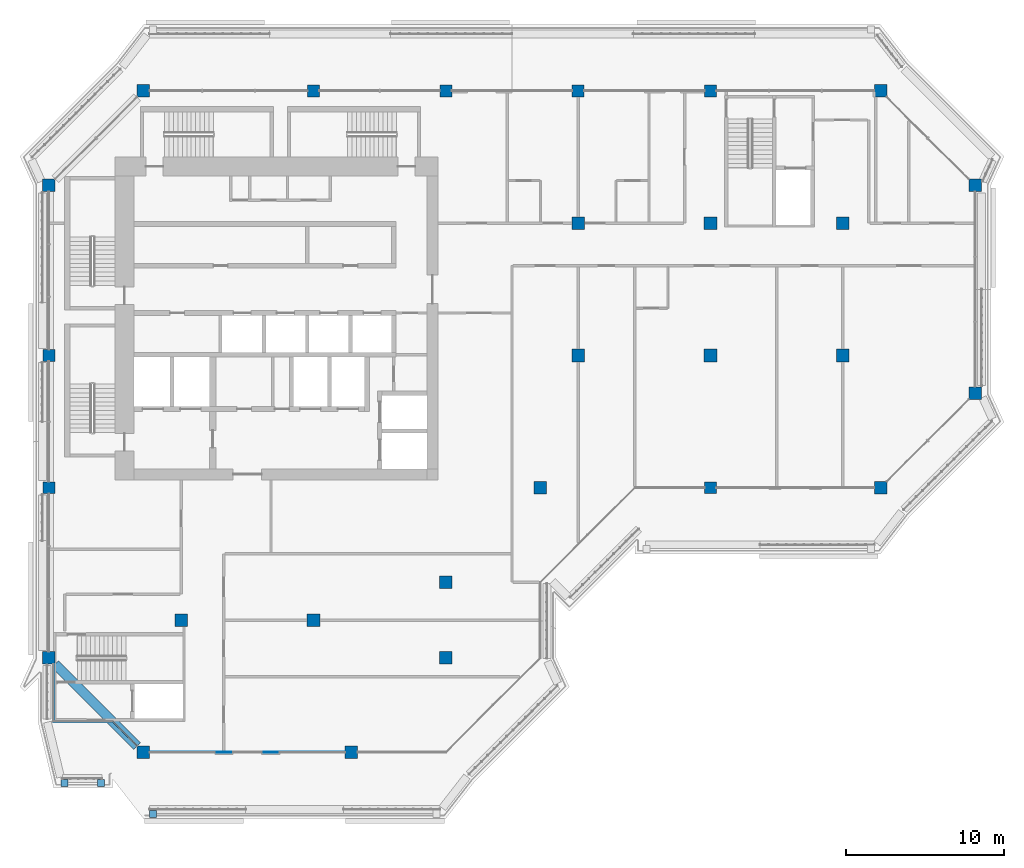
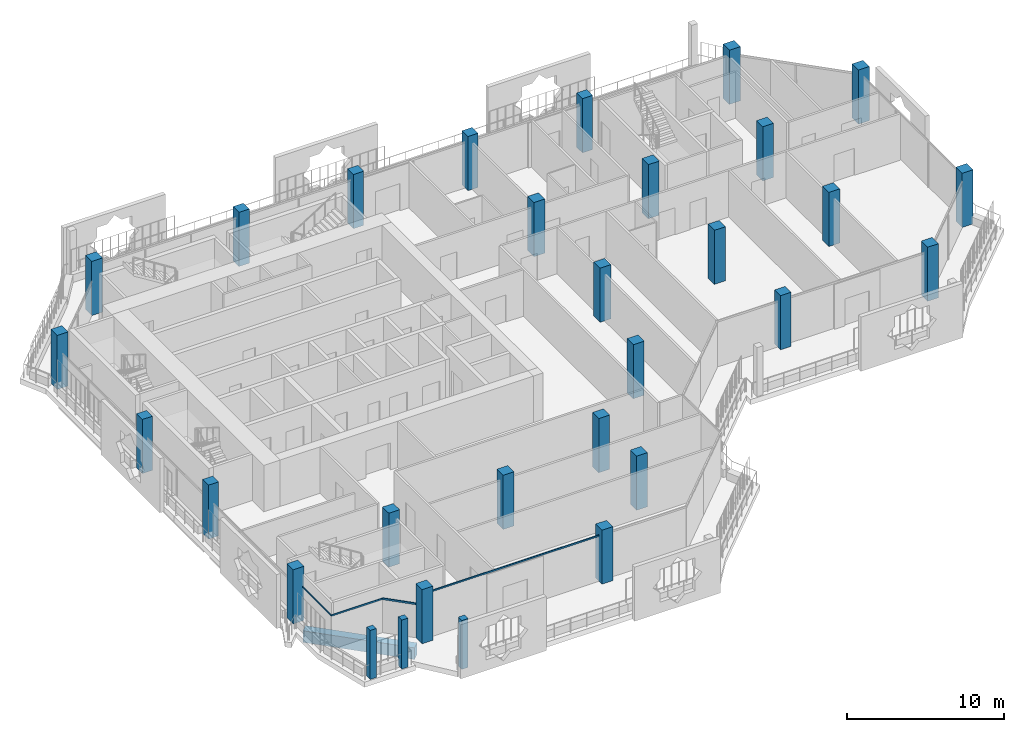
# One storey, part 1 of 21: 27 columns, 7 members, 1 beam, 5 elements without a shape of their own.
"""IFC4 building model written with IfcOpenShell, lengths in metres."""

from ifc_helpers import new_model, si_unit, direction, frame, origin, origin_2d, place, context, subcontext, project, spatial, rectangle, extrude, material, layer, layer_set, material_profile, profile_set, type_object, element, aggregate, save


model = new_model("IFC4")

# Units and contexts
model_context = context("Model", 3, precision=1e-05, world=origin(), true_north=direction((0.0, 1.0)))
body_context = subcontext(model_context, "Body", "Model", "MODEL_VIEW")
ifc_project = project(units=[si_unit("LENGTHUNIT", "METRE"), si_unit("AREAUNIT", "SQUARE_METRE"), si_unit("VOLUMEUNIT", "CUBIC_METRE"), si_unit("PLANEANGLEUNIT", "RADIAN"), si_unit("MASSUNIT", "GRAM", prefix="KILO")], contexts=[model_context])

# Site, building, storey
site_placement = place(None, origin())
site = spatial("IfcSite", under=ifc_project, at=site_placement, CompositionType="ELEMENT")
building_placement = place(site_placement, origin())
building = spatial("IfcBuilding", under=site, at=building_placement, Name="Kawkab Arch Medical Tower", CompositionType="ELEMENT")
storey_placement = place(building_placement, frame((0.0, 0.0, 307.0)))
storey = spatial("IfcBuildingStorey", under=building, at=storey_placement, Name="L71", CompositionType="ELEMENT", Elevation=307.0)

# Columns
ifc_material_1 = material(Name="Concrete C40/50", Category="concrete")
ifc_material_profile_1 = material_profile(ifc_material_1, rectangle(XDim=0.75, YDim=0.75, at=origin_2d()), Name="RC 750x750")
ifc_profile_set_1 = profile_set([ifc_material_profile_1], Name="Concrete C40/50")
column_type_1 = type_object("IfcColumnType", Name="RC 750x750 column C40/50", PredefinedType="COLUMN", material=ifc_profile_set_1)
for number, where, z_axis, x_axis, name in (
    (1, (16.800048828125, 0.0, 0.0), (0.0, 0.0, 1.0), (1.0, 0.0, 0.0), "Column RC 750x750"),
    (2, (25.199951171875, 0.0, 0.0), (0.0, 0.0, 1.0), (1.0, 0.0, 0.0), "Column RC 750x750"),
    (3, (33.60009765625, 0.0, 0.0), (0.0, 0.0, 1.0), (1.0, 0.0, 0.0), "Column RC 750x750"),
    (4, (42.0, 0.0, 0.0), (0.0, 0.0, 1.0), (1.0, 0.0, 0.0), "Column RC 750x750"),
    (5, (0.0, -16.800048828125, 0.0), (0.0, 0.0, 1.0), (1.0, 0.0, 0.0), "Column RC 750x750"),
    (6, (0.0, -25.199951171875, 0.0), (0.0, 0.0, 1.0), (1.0, 0.0, 0.0), "Column RC 750x750"),
    (7, (42.0, -25.199951171875, 0.0), (0.0, 0.0, 1.0), (1.0, 0.0, 0.0), "Column RC 750x750"),
):
    element("IfcColumn", number, at=place(storey_placement, frame(where, z_axis=z_axis, x_axis=x_axis)), inside=storey, type_object=column_type_1, Name=name, PredefinedType="COLUMN", context=body_context, shape_type="SweptSolid", body=[
        extrude(rectangle(XDim=0.75, YDim=0.75, at=origin_2d()), origin(), (0.0, 0.0, 1.0), 4.199951171875),
    ])
ifc_material_2 = material(Name="Concrete C40/50", Category="concrete")
ifc_material_profile_2 = material_profile(ifc_material_2, rectangle(XDim=0.800048828125, YDim=0.800048828125, at=origin_2d()), Name="RC 800x800")
ifc_profile_set_2 = profile_set([ifc_material_profile_2], Name="Concrete C40/50")
column_type_2 = type_object("IfcColumnType", Name="RC 800x800 column C40/50", PredefinedType="COLUMN", material=ifc_profile_set_2)
for number, where, z_axis, x_axis, name in (
    (8, (6.0, 0.0, 0.0), (0.0, 0.0, 1.0), (1.0, 0.0, 0.0), "Column RC 800x800"),
    (9, (52.800048828125, 0.0, 0.0), (0.0, 0.0, 1.0), (1.0, 0.0, 0.0), "Column RC 800x800"),
    (10, (0.0, -6.0, 0.0), (0.0, 0.0, 1.0), (1.0, 0.0, 0.0), "Column RC 800x800"),
    (11, (58.800048828125, -6.0, 0.0), (0.0, 0.0, 1.0), (1.0, 0.0, 0.0), "Column RC 800x800"),
    (12, (33.60009765625, -8.39990234375, 0.0), (0.0, 0.0, 1.0), (1.0, 0.0, 0.0), "Column RC 800x800"),
    (13, (42.0, -8.39990234375, 0.0), (0.0, 0.0, 1.0), (1.0, 0.0, 0.0), "Column RC 800x800"),
    (14, (50.39990234375, -8.39990234375, 0.0), (0.0, 0.0, 1.0), (1.0, 0.0, 0.0), "Column RC 800x800"),
    (15, (33.60009765625, -16.800048828125, 0.0), (0.0, 0.0, 1.0), (1.0, 0.0, 0.0), "Column RC 800x800"),
    (16, (42.0, -16.800048828125, 0.0), (0.0, 0.0, 1.0), (1.0, 0.0, 0.0), "Column RC 800x800"),
    (17, (50.39990234375, -16.800048828125, 0.0), (0.0, 0.0, 1.0), (1.0, 0.0, 0.0), "Column RC 800x800"),
    (18, (58.800048828125, -19.199951171875, 0.0), (0.0, 0.0, 1.0), (1.0, 0.0, 0.0), "Column RC 800x800"),
    (19, (31.199951171875, -25.199951171875, 0.0), (0.0, 0.0, 1.0), (1.0, 0.0, 0.0), "Column RC 800x800"),
    (20, (52.800048828125, -25.199951171875, 0.0), (0.0, 0.0, 1.0), (1.0, 0.0, 0.0), "Column RC 800x800"),
    (21, (25.199951171875, -31.199951171875, 0.0), (0.0, 0.0, 1.0), (1.0, 0.0, 0.0), "Column RC 800x800"),
    (22, (8.39990234375, -33.60009765625, 0.0), (0.0, 0.0, 1.0), (1.0, 0.0, 0.0), "Column RC 800x800"),
    (23, (16.800048828125, -33.60009765625, 0.0), (0.0, 0.0, 1.0), (1.0, 0.0, 0.0), "Column RC 800x800"),
    (24, (0.0, -36.0, 0.0), (0.0, 0.0, 1.0), (1.0, 0.0, 0.0), "Column RC 800x800"),
    (25, (25.199951171875, -36.0, 0.0), (0.0, 0.0, 1.0), (1.0, 0.0, 0.0), "Column RC 800x800"),
    (26, (6.0, -42.0, 0.0), (0.0, 0.0, 1.0), (1.0, 0.0, 0.0), "Column RC 800x800"),
    (27, (19.199951171875, -42.0, 0.0), (0.0, 0.0, 1.0), (1.0, 0.0, 0.0), "Column RC 800x800"),
):
    element("IfcColumn", number, at=place(storey_placement, frame(where, z_axis=z_axis, x_axis=x_axis)), inside=storey, type_object=column_type_2, Name=name, PredefinedType="COLUMN", context=body_context, shape_type="SweptSolid", body=[
        extrude(rectangle(XDim=0.800048828125, YDim=0.800048828125, at=origin_2d()), origin(), (0.0, 0.0, 1.0), 4.199951171875),
    ])

# Curtain wall, member
ifc_material_3 = material(Name="Bronze anodised aluminium curtain wall frame", Category="aluminium")
ifc_layer_1 = layer(ifc_material_3, 0.159912109375)
ifc_layer_set_1 = layer_set([ifc_layer_1], Name="Bronze anodised aluminium curtain wall frame")
curtain_wall_type_1 = type_object("IfcCurtainWallType", Name="CW1 ward curtain wall", PredefinedType="NOTDEFINED", material=ifc_layer_set_1)
placement = place(storey_placement, origin())
curtain_wall_1 = element("IfcCurtainWall", 28, at=placement, inside=storey, type_object=curtain_wall_type_1, Name="CW1 Ward curtain wall R04", PredefinedType="NOTDEFINED")
ifc_material_4 = material(Name="Bronze anodised aluminium curtain wall frame", Category="aluminium")
ifc_material_profile_3 = material_profile(ifc_material_4, rectangle(XDim=0.06005859375, YDim=0.1201171875, at=origin_2d()), Name="AL 60x120")
ifc_profile_set_3 = profile_set([ifc_material_profile_3], Name="Bronze anodised aluminium curtain wall frame")
member_type_1 = type_object("IfcMemberType", Name="CW1 transom 120 x 60", PredefinedType="USERDEFINED", material=ifc_profile_set_3)
member_1_placement = place(storey_placement, frame((0.300048828125, -36.39990234375, 2.639892578125), z_axis=(0.0, -1.0, 0.0), x_axis=(1.0, 0.0, 0.0)))
member_1 = element("IfcMember", 29, at=member_1_placement, type_object=member_type_1, Name="CW1 transom 1", ObjectType="TRANSOM", PredefinedType="USERDEFINED", context=body_context, shape_type="SweptSolid", body=[
    extrude(rectangle(XDim=0.06005859375, YDim=0.1201171875, at=origin_2d()), origin(), (0.0, 0.0, 1.0), 3.650146484375),
])
aggregate(curtain_wall_1, [member_1])

curtain_wall_2 = element("IfcCurtainWall", 30, at=placement, inside=storey, type_object=curtain_wall_type_1, Name="CW1 Ward curtain wall R05", PredefinedType="NOTDEFINED")
member_2_placement = place(storey_placement, frame((0.300048828125, -40.050048828125, 2.639892578125), z_axis=(1.0, 0.0, 0.0), x_axis=(0.0, 1.0, 0.0)))
member_2 = element("IfcMember", 31, at=member_2_placement, type_object=member_type_1, Name="CW1 transom 1", ObjectType="TRANSOM", PredefinedType="USERDEFINED", context=body_context, shape_type="SweptSolid", body=[
    extrude(rectangle(XDim=0.06005859375, YDim=0.1201171875, at=origin_2d()), origin(), (0.0, 0.0, 1.0), 3.75),
])
aggregate(curtain_wall_2, [member_2])

curtain_wall_3 = element("IfcCurtainWall", 32, at=placement, inside=storey, type_object=curtain_wall_type_1, Name="CW1 Ward curtain wall R07", PredefinedType="NOTDEFINED")
member_3_placement = place(storey_placement, frame((6.39990234375, -42.0, 3.5400390625), z_axis=(1.0, 0.0, 0.0), x_axis=(0.0, 1.0, 0.0)))
member_3 = element("IfcMember", 33, at=member_3_placement, type_object=member_type_1, Name="CW1 transom 1", ObjectType="TRANSOM", PredefinedType="USERDEFINED", context=body_context, shape_type="SweptSolid", body=[
    extrude(rectangle(XDim=0.06005859375, YDim=0.1201171875, at=origin_2d()), origin(), (0.0, 0.0, 1.0), 12.400146484375),
])
aggregate(curtain_wall_3, [member_3])

ifc_material_5 = material(Name="Bronze anodised aluminium curtain wall frame", Category="aluminium")
ifc_layer_2 = layer(ifc_material_5, 0.159912109375)
ifc_layer_set_2 = layer_set([ifc_layer_2], Name="Bronze anodised aluminium curtain wall frame")
curtain_wall_type_2 = type_object("IfcCurtainWallType", Name="CW2 chamfer curtain wall", PredefinedType="NOTDEFINED", material=ifc_layer_set_2)
curtain_wall_4 = element("IfcCurtainWall", 34, at=placement, inside=storey, type_object=curtain_wall_type_2, Name="CW2 Chamfer curtain wall R06", PredefinedType="NOTDEFINED")
ifc_material_6 = material(Name="Bronze anodised aluminium curtain wall frame", Category="aluminium")
ifc_material_profile_4 = material_profile(ifc_material_6, rectangle(XDim=0.06005859375, YDim=0.139892578125, at=origin_2d()), Name="AL 60x140")
ifc_profile_set_4 = profile_set([ifc_material_profile_4], Name="Bronze anodised aluminium curtain wall frame")
member_type_2 = type_object("IfcMemberType", Name="CW2 transom 140 x 60", PredefinedType="USERDEFINED", material=ifc_profile_set_4)
member_4_placement = place(storey_placement, frame((4.050048828125, -40.050048828125, 2.6298828125), z_axis=(0.707106781187, -0.707106781187, 0.0), x_axis=(0.707106781187, 0.707106781187, 0.0)))
member_4 = element("IfcMember", 35, at=member_4_placement, type_object=member_type_2, Name="CW2 transom 1", ObjectType="TRANSOM", PredefinedType="USERDEFINED", context=body_context, shape_type="SweptSolid", body=[
    extrude(rectangle(XDim=0.06005859375, YDim=0.139892578125, at=origin_2d()), origin(), (0.0, 0.0, 1.0), 2.192138671875),
])
aggregate(curtain_wall_4, [member_4])

# Curtain wall, members
ifc_material_7 = material(Name="Bronze anodised aluminium climber frame, planted", Category="aluminium")
ifc_layer_3 = layer(ifc_material_7, 0.449951171875)
ifc_layer_set_3 = layer_set([ifc_layer_3], Name="Bronze anodised aluminium climber frame, planted")
curtain_wall_type_3 = type_object("IfcCurtainWallType", Name="Planted climber frame", PredefinedType="NOTDEFINED", material=ifc_layer_set_3)
curtain_wall_5 = element("IfcCurtainWall", 36, at=placement, inside=storey, type_object=curtain_wall_type_3, Name="Planted climber frame L71", PredefinedType="NOTDEFINED")
ifc_material_8 = material(Name="Bronze anodised aluminium climber frame, planted", Category="aluminium")
ifc_material_profile_5 = material_profile(ifc_material_8, rectangle(XDim=0.449951171875, YDim=0.449951171875, at=origin_2d()), Name="Post 450x450")
ifc_profile_set_5 = profile_set([ifc_material_profile_5], Name="Bronze anodised aluminium climber frame, planted")
member_type_3 = type_object("IfcMemberType", Name="Planted climber post 450 x 450", PredefinedType="MULLION", material=ifc_profile_set_5)
member_5_placement = place(storey_placement, frame((3.300048828125, -43.949951171875, 0.0), z_axis=(0.0, 0.0, 1.0), x_axis=(1.0, 0.0, 0.0)))
member_5 = element("IfcMember", 37, at=member_5_placement, type_object=member_type_3, Name="Planted climber post L71.LOG-01-01.1", PredefinedType="MULLION", context=body_context, shape_type="SweptSolid", body=[
    extrude(rectangle(XDim=0.449951171875, YDim=0.449951171875, at=origin_2d()), origin(), (0.0, 0.0, 1.0), 3.800048828125),
])
member_6_placement = place(storey_placement, frame((0.987060546875, -43.949951171875, 0.0), z_axis=(0.0, 0.0, 1.0), x_axis=(1.0, 0.0, 0.0)))
member_6 = element("IfcMember", 38, at=member_6_placement, type_object=member_type_3, Name="Planted climber post L71.LOG-01-01.2", PredefinedType="MULLION", context=body_context, shape_type="SweptSolid", body=[
    extrude(rectangle(XDim=0.449951171875, YDim=0.449951171875, at=origin_2d()), origin(), (0.0, 0.0, 1.0), 3.800048828125),
])
member_7_placement = place(storey_placement, frame((6.596923828125, -45.89990234375, 0.0), z_axis=(0.0, 0.0, 1.0), x_axis=(1.0, 0.0, 0.0)))
member_7 = element("IfcMember", 39, at=member_7_placement, type_object=member_type_3, Name="Planted climber post L71.LOG-01-01.8", PredefinedType="MULLION", context=body_context, shape_type="SweptSolid", body=[
    extrude(rectangle(XDim=0.449951171875, YDim=0.449951171875, at=origin_2d()), origin(), (0.0, 0.0, 1.0), 3.800048828125),
])
aggregate(curtain_wall_5, [member_5, member_6, member_7])

# Beam
ifc_material_9 = material(Name="Concrete C40/50", Category="concrete")
ifc_material_profile_6 = material_profile(ifc_material_9, rectangle(XDim=0.60009765625, YDim=0.89990234375, at=origin_2d()), Name="RC 600x900")
ifc_profile_set_6 = profile_set([ifc_material_profile_6], Name="Concrete C40/50")
beam_type = type_object("IfcBeamType", Name="RC 600x900 beam C40/50", PredefinedType="BEAM", material=ifc_profile_set_6)
beam_placement = place(storey_placement, frame((5.60009765625, -41.60009765625, -1.050048828125), z_axis=(-0.707106781187, 0.707106781187, 0.0), x_axis=(-0.707106781187, -0.707106781187, 0.0)))
element("IfcBeam", 40, at=beam_placement, inside=storey, type_object=beam_type, Name="Overhang edge beam L71-02", PredefinedType="BEAM", context=body_context, shape_type="SweptSolid", body=[
    extrude(rectangle(XDim=0.60009765625, YDim=0.89990234375, at=origin_2d()), origin(), (0.0, 0.0, 1.0), 7.354248046875),
])

save(model, "model.ifc")
